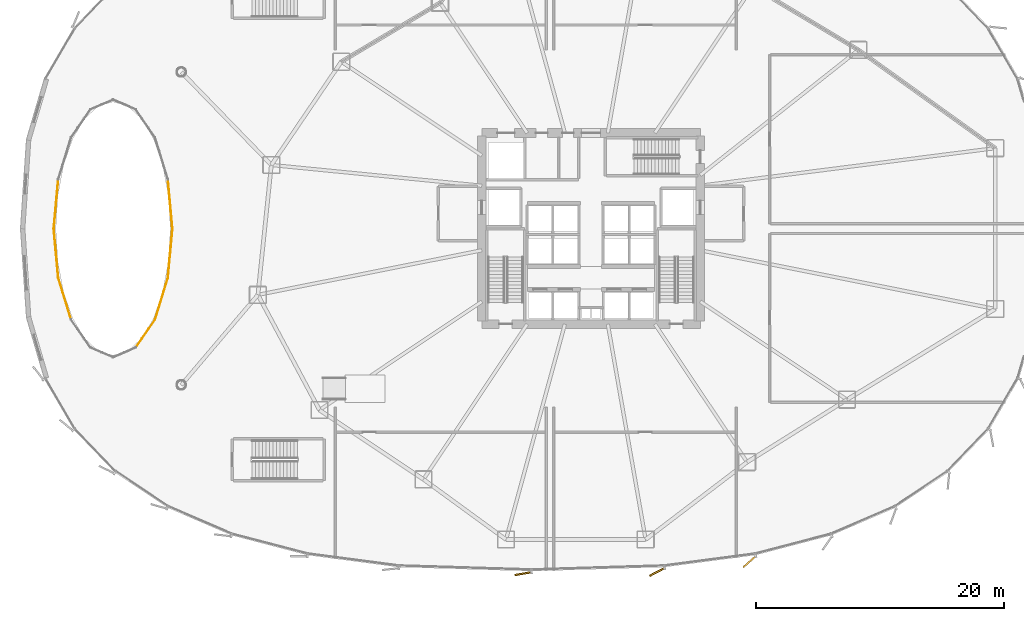
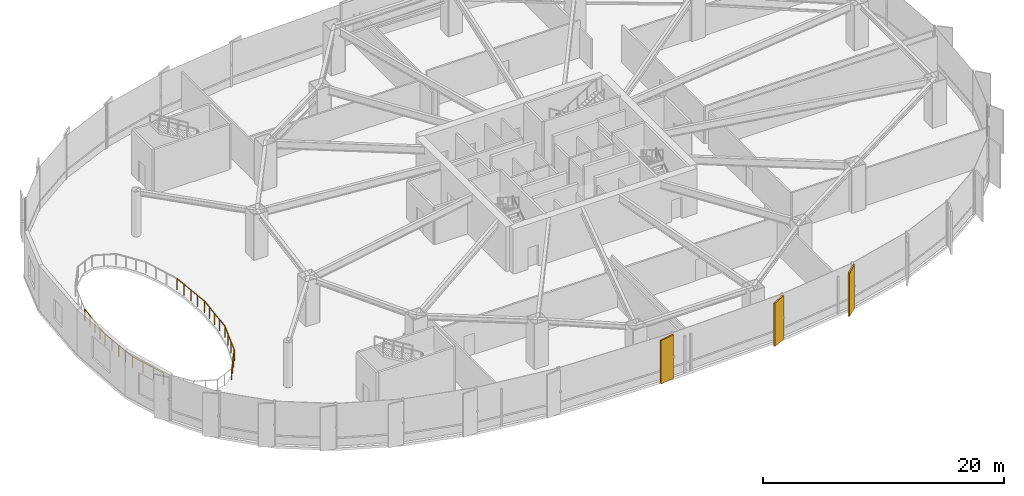
# One storey, part 30 of 34: 7 railings, 3 coverings.
"""IFC4 building model written with IfcOpenShell, lengths in metres."""

from ifc_helpers import new_model, si_unit, direction, frame, origin, origin_2d, place, context, subcontext, project, spatial, rectangle, circle, extrude, source, transform, mapped, material, layer, layer_set, type_object, element, save


model = new_model("IFC4")

# Units and contexts
model_context = context("Model", 3, precision=1e-05, world=origin(), true_north=direction((0.0, 1.0)))
body_context = subcontext(model_context, "Body", "Model", "MODEL_VIEW")
ifc_project = project(units=[si_unit("LENGTHUNIT", "METRE"), si_unit("AREAUNIT", "SQUARE_METRE"), si_unit("VOLUMEUNIT", "CUBIC_METRE"), si_unit("PLANEANGLEUNIT", "RADIAN"), si_unit("MASSUNIT", "GRAM", prefix="KILO"), si_unit("THERMODYNAMICTEMPERATUREUNIT", "KELVIN")], contexts=[model_context])

# Site, building, storey
site_placement = place(None, origin())
site = spatial("IfcSite", under=ifc_project, at=site_placement, CompositionType="ELEMENT")
building_placement = place(site_placement, origin())
building = spatial("IfcBuilding", under=site, at=building_placement, Name="Kethvar Cultural Tower", CompositionType="ELEMENT")
storey_placement = place(building_placement, frame((0.0, 0.0, 5.199951171875)))
storey = spatial("IfcBuildingStorey", under=building, at=storey_placement, Name="L01", CompositionType="ELEMENT", Elevation=5.199951171875)

# Railings
ifc_material_1 = material(Name="Steel S355J2", Category="steel")
railing_type = type_object("IfcRailingType", Name="RL-INT-ATRIUM-1150", PredefinedType="BALUSTRADE", material=ifc_material_1)
railing_1_placement = place(storey_placement, frame((13.080078125, 27.800048828125, 0.0)))
element("IfcRailing", 1, at=railing_1_placement, inside=storey, type_object=railing_type, Name="L01 Atrium Void Balustrade 01", PredefinedType="BALUSTRADE", context=body_context, shape_type="SweptSolid", body=[
    extrude(circle(Radius=0.02392578125, at=origin_2d()), frame((0.0, 0.0, 1.1259765625), z_axis=(-0.091258659419, 0.995827222504, 0.0), x_axis=(-0.995827222504, -0.091258659419, 0.0)), (0.0, 0.0, 1.0), 3.98876953125),
    extrude(circle(Radius=0.02099609375, at=origin_2d()), origin(), (0.0, 0.0, 1.0), 1.101806640625),
    extrude(circle(Radius=0.02099609375, at=origin_2d()), frame((-0.091064453125, 0.9931640625, 0.0)), (0.0, 0.0, 1.0), 1.101806640625),
    extrude(circle(Radius=0.02099609375, at=origin_2d()), frame((-0.18212890625, 1.986083984375, 0.0)), (0.0, 0.0, 1.0), 1.101806640625),
    extrude(circle(Radius=0.02099609375, at=origin_2d()), frame((-0.27294921875, 2.97900390625, 0.0)), (0.0, 0.0, 1.0), 1.101806640625),
    extrude(circle(Radius=0.02099609375, at=origin_2d()), frame((-0.364013671875, 3.97216796875, 0.0)), (0.0, 0.0, 1.0), 1.101806640625),
])
railing_2_placement = place(storey_placement, frame((3.8837890625, 31.772216796875, 0.0)))
element("IfcRailing", 2, at=railing_2_placement, inside=storey, type_object=railing_type, Name="L01 Atrium Void Balustrade 08", PredefinedType="BALUSTRADE", context=body_context, shape_type="SweptSolid", body=[
    extrude(circle(Radius=0.02392578125, at=origin_2d()), frame((0.0, 0.0, 1.1259765625), z_axis=(-0.091197962302, -0.995832782987, 0.0), x_axis=(0.995832782987, -0.091197962302, 0.0)), (0.0, 0.0, 1.0), 3.98876953125),
    extrude(circle(Radius=0.02099609375, at=origin_2d()), origin(), (0.0, 0.0, 1.0), 1.101806640625),
    extrude(circle(Radius=0.02099609375, at=origin_2d()), frame((-0.0908203125, -0.9931640625, 0.0)), (0.0, 0.0, 1.0), 1.101806640625),
    extrude(circle(Radius=0.02099609375, at=origin_2d()), frame((-0.181884765625, -1.986083984375, 0.0)), (0.0, 0.0, 1.0), 1.101806640625),
    extrude(circle(Radius=0.02099609375, at=origin_2d()), frame((-0.27294921875, -2.97900390625, 0.0)), (0.0, 0.0, 1.0), 1.101806640625),
    extrude(circle(Radius=0.02099609375, at=origin_2d()), frame((-0.36376953125, -3.97216796875, 0.0)), (0.0, 0.0, 1.0), 1.101806640625),
])
railing_3_placement = place(storey_placement, frame((3.52001953125, 27.800048828125, 0.0)))
element("IfcRailing", 3, at=railing_3_placement, inside=storey, type_object=railing_type, Name="L01 Atrium Void Balustrade 09", PredefinedType="BALUSTRADE", context=body_context, shape_type="SweptSolid", body=[
    extrude(circle(Radius=0.02392578125, at=origin_2d()), frame((0.0, 0.0, 1.1259765625), z_axis=(0.091192403975, -0.995833292001, 0.0), x_axis=(0.995833292001, 0.091192403975, 0.0)), (0.0, 0.0, 1.0), 3.989013671875),
    extrude(circle(Radius=0.02099609375, at=origin_2d()), origin(), (0.0, 0.0, 1.0), 1.101806640625),
    extrude(circle(Radius=0.02099609375, at=origin_2d()), frame((0.0908203125, -0.9931640625, 0.0)), (0.0, 0.0, 1.0), 1.101806640625),
    extrude(circle(Radius=0.02099609375, at=origin_2d()), frame((0.181884765625, -1.986328125, 0.0)), (0.0, 0.0, 1.0), 1.101806640625),
    extrude(circle(Radius=0.02099609375, at=origin_2d()), frame((0.27294921875, -2.979248046875, 0.0)), (0.0, 0.0, 1.0), 1.101806640625),
    extrude(circle(Radius=0.02099609375, at=origin_2d()), frame((0.36376953125, -3.972412109375, 0.0)), (0.0, 0.0, 1.0), 1.101806640625),
])
railing_4_placement = place(storey_placement, frame((3.8837890625, 23.82763671875, 0.0)))
element("IfcRailing", 4, at=railing_4_placement, inside=storey, type_object=railing_type, Name="L01 Atrium Void Balustrade 10", PredefinedType="BALUSTRADE", context=body_context, shape_type="SweptSolid", body=[
    extrude(circle(Radius=0.02392578125, at=origin_2d()), frame((0.0, 0.0, 1.1259765625), z_axis=(0.294085848838, -0.955779008722, 0.0), x_axis=(0.955779008722, 0.294085848838, 0.0)), (0.0, 0.0, 1.0), 3.523193359375),
    extrude(circle(Radius=0.02099609375, at=origin_2d()), origin(), (0.0, 0.0, 1.0), 1.101806640625),
    extrude(circle(Radius=0.02099609375, at=origin_2d()), frame((0.345458984375, -1.12255859375, 0.0)), (0.0, 0.0, 1.0), 1.101806640625),
    extrude(circle(Radius=0.02099609375, at=origin_2d()), frame((0.690673828125, -2.244873046875, 0.0)), (0.0, 0.0, 1.0), 1.101806640625),
    extrude(circle(Radius=0.02099609375, at=origin_2d()), frame((1.0361328125, -3.367431640625, 0.0)), (0.0, 0.0, 1.0), 1.101806640625),
])
railing_5_placement = place(storey_placement, frame((10.129150390625, 18.210205078125, 0.0)))
element("IfcRailing", 5, at=railing_5_placement, inside=storey, type_object=railing_type, Name="L01 Atrium Void Balustrade 14", PredefinedType="BALUSTRADE", context=body_context, shape_type="SweptSolid", body=[
    extrude(circle(Radius=0.02392578125, at=origin_2d()), frame((0.0, 0.0, 1.1259765625), z_axis=(0.567499103601, 0.823374014293, 0.0), x_axis=(-0.823374014293, 0.567499103601, 0.0)), (0.0, 0.0, 1.0), 2.732666015625),
    extrude(circle(Radius=0.02099609375, at=origin_2d()), origin(), (0.0, 0.0, 1.0), 1.101806640625),
    extrude(circle(Radius=0.02099609375, at=origin_2d()), frame((0.516845703125, 0.75, 0.0)), (0.0, 0.0, 1.0), 1.101806640625),
    extrude(circle(Radius=0.02099609375, at=origin_2d()), frame((1.033935546875, 1.5, 0.0)), (0.0, 0.0, 1.0), 1.101806640625),
    extrude(circle(Radius=0.02099609375, at=origin_2d()), frame((1.55078125, 2.25, 0.0)), (0.0, 0.0, 1.0), 1.101806640625),
])
railing_6_placement = place(storey_placement, frame((11.679931640625, 20.460205078125, 0.0)))
element("IfcRailing", 6, at=railing_6_placement, inside=storey, type_object=railing_type, Name="L01 Atrium Void Balustrade 15", PredefinedType="BALUSTRADE", context=body_context, shape_type="SweptSolid", body=[
    extrude(circle(Radius=0.02392578125, at=origin_2d()), frame((0.0, 0.0, 1.1259765625), z_axis=(0.294085848838, 0.955779008722, 0.0), x_axis=(-0.955779008722, 0.294085848838, 0.0)), (0.0, 0.0, 1.0), 3.523193359375),
    extrude(circle(Radius=0.02099609375, at=origin_2d()), origin(), (0.0, 0.0, 1.0), 1.101806640625),
    extrude(circle(Radius=0.02099609375, at=origin_2d()), frame((0.345458984375, 1.12255859375, 0.0)), (0.0, 0.0, 1.0), 1.101806640625),
    extrude(circle(Radius=0.02099609375, at=origin_2d()), frame((0.690673828125, 2.244873046875, 0.0)), (0.0, 0.0, 1.0), 1.101806640625),
    extrude(circle(Radius=0.02099609375, at=origin_2d()), frame((1.0361328125, 3.367431640625, 0.0)), (0.0, 0.0, 1.0), 1.101806640625),
])
railing_7_placement = place(storey_placement, frame((12.716064453125, 23.82763671875, 0.0)))
element("IfcRailing", 7, at=railing_7_placement, inside=storey, type_object=railing_type, Name="L01 Atrium Void Balustrade 16", PredefinedType="BALUSTRADE", context=body_context, shape_type="SweptSolid", body=[
    extrude(circle(Radius=0.02392578125, at=origin_2d()), frame((0.0, 0.0, 1.1259765625), z_axis=(0.091253097456, 0.995827732193, 0.0), x_axis=(-0.995827732193, 0.091253097456, 0.0)), (0.0, 0.0, 1.0), 3.989013671875),
    extrude(circle(Radius=0.02099609375, at=origin_2d()), origin(), (0.0, 0.0, 1.0), 1.101806640625),
    extrude(circle(Radius=0.02099609375, at=origin_2d()), frame((0.091064453125, 0.9931640625, 0.0)), (0.0, 0.0, 1.0), 1.101806640625),
    extrude(circle(Radius=0.02099609375, at=origin_2d()), frame((0.18212890625, 1.986328125, 0.0)), (0.0, 0.0, 1.0), 1.101806640625),
    extrude(circle(Radius=0.02099609375, at=origin_2d()), frame((0.27294921875, 2.979248046875, 0.0)), (0.0, 0.0, 1.0), 1.101806640625),
    extrude(circle(Radius=0.02099609375, at=origin_2d()), frame((0.364013671875, 3.972412109375, 0.0)), (0.0, 0.0, 1.0), 1.101806640625),
])

# Coverings
ifc_material_2 = material(Name="Extruded Architectural Terracotta", Category="masonry")
ifc_layer = layer(ifc_material_2, 0.135009765625, Name="Extruded Architectural Terracotta", Category="masonry")
ifc_layer_set = layer_set([ifc_layer], Name="Extruded Architectural Terracotta (135 mm)")
covering_type = type_object("IfcCoveringType", Name="Terracotta Facade Fin FIN-04", PredefinedType="CLADDING", material=ifc_layer_set)
shared_shape = source(origin(), body_context, "Body", "SweptSolid", [
    extrude(rectangle(XDim=1.35009765625, YDim=0.135009765625, at=origin_2d()), origin(), (0.0, 0.0, 1.0), 4.39990234375),
])
for number, where, z_axis, x_axis, name in (
    (8, (41.337158203125, 0.005859375, 0.02001953125), (0.0, 0.0, 1.0), (-0.985615113142, -0.169005469575, 0.0), "L01 Vertical Terracotta Fin 5.2"),
    (9, (52.12451171875, 0.137939453125, 0.02001953125), (0.0, 0.0, 1.0), (-0.891481453292, -0.453057191132, 0.0), "L01 Vertical Terracotta Fin 5.3"),
    (10, (59.564697265625, 0.964599609375, 0.02001953125), (0.0, 0.0, 1.0), (-0.748608671094, -0.663012109666, 0.0), "L01 Vertical Terracotta Fin 5.4"),
):
    element("IfcCovering", number, at=place(storey_placement, frame(where, z_axis=z_axis, x_axis=x_axis)), inside=storey, type_object=covering_type, Name=name, PredefinedType="CLADDING", context=body_context, shape_type="MappedRepresentation", body=[
        mapped(shared_shape, transform((0.0, 0.0, 0.0), scale=1.0)),
    ])

save(model, "model.ifc")
